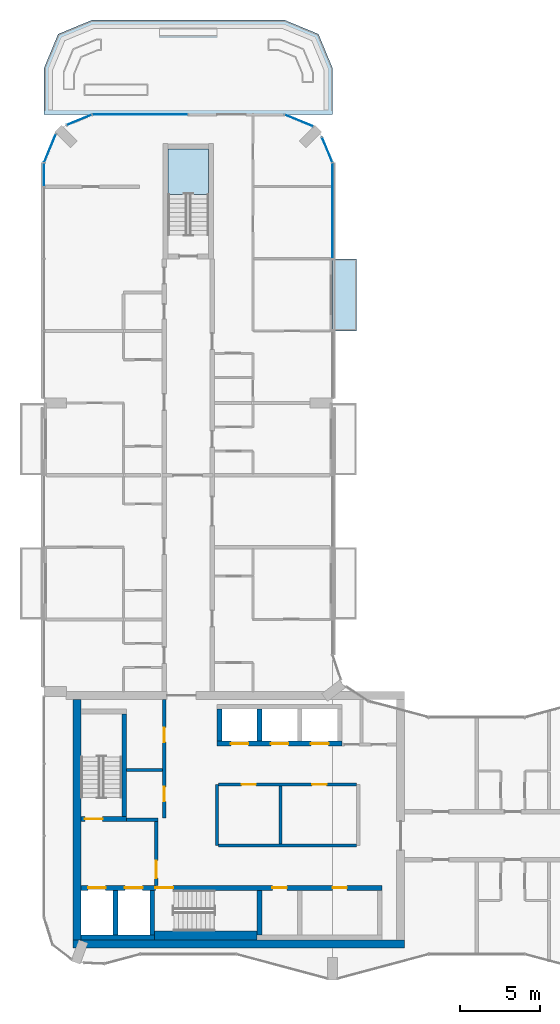
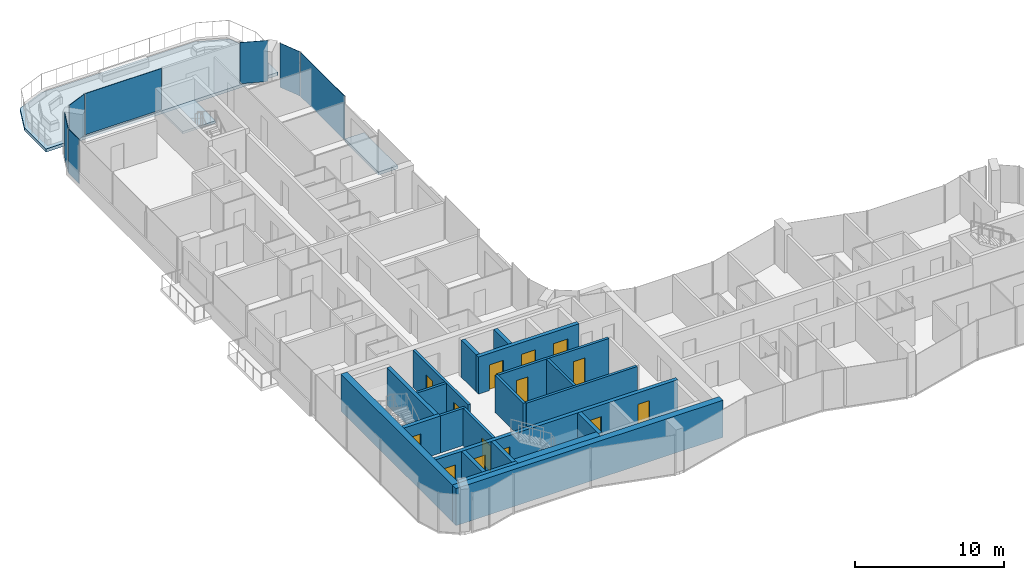
# One storey, part 9 of 17: 21 walls, 14 doors, 7 plates, 3 slabs, 14 openings, 8 elements without a shape of their own.
"""IFC4 building model written with IfcOpenShell, lengths in metres."""

import ifcopenshell
import ifcopenshell.guid

model = None  # the IFC model being written
_history = None  # IfcOwnerHistory: only IFC2X3 demands one
_inside = {}  # id of a spatial element -> (the spatial element, [elements in it])
_under = {}  # id of a project, library or spatial element -> (it, [spatial elements below it])
_declared = {}  # id of a project -> (the project, [libraries it declares])
_typed = {}  # id of a type object -> (the type object, [elements of that type])
_made_of = {}  # id of a material, layer set ... -> (it, [elements and type objects made of it])


def new_model(schema):
    """Start an empty IFC model of exactly this schema.

    Asked for "IFC4X3", IfcOpenShell would pick the latest addendum, in which some entities
    have other attributes; the version numbers below select the first issue.
    IFC2X3 requires an IfcOwnerHistory on every rooted entity: one is made here for all.
    """
    global model, _history
    if schema == "IFC4X3":
        model = ifcopenshell.file(schema_version=(4, 3, 0, 0))
    else:
        model = ifcopenshell.file(schema=schema)
    _inside.clear()
    _under.clear()
    _declared.clear()
    _typed.clear()
    _made_of.clear()
    _history = None
    if model.schema == "IFC2X3":
        org = make("IfcOrganization", Name="unknown")
        user = make(
            "IfcPersonAndOrganization",
            ThePerson=make("IfcPerson", FamilyName="unknown"),
            TheOrganization=org,
        )
        app = make(
            "IfcApplication",
            ApplicationDeveloper=org,
            Version="unknown",
            ApplicationFullName="unknown",
            ApplicationIdentifier="unknown",
        )
        _history = make(
            "IfcOwnerHistory",
            OwningUser=user,
            OwningApplication=app,
            ChangeAction="ADDED",
            CreationDate=0,
        )
    return model


def make(cls, **values):
    """One entity of the class cls with the attributes given. An attribute that is None is left unset."""
    return model.create_entity(
        cls, **{name: value for name, value in values.items() if value is not None}
    )


def rooted(cls, **values):
    """An entity with a GlobalId (a new one), such as an element, a storey or a relation."""
    return make(cls, GlobalId=ifcopenshell.guid.new(), OwnerHistory=_history, **values)


def si_unit(unit_type, name, prefix=None):
    """IfcSIUnit, for example si_unit("LENGTHUNIT", "METRE", prefix="MILLI")."""
    return make("IfcSIUnit", UnitType=unit_type, Prefix=prefix, Name=name)


def assignment(units):
    """IfcUnitAssignment: the units of a project."""
    return None if units is None else make("IfcUnitAssignment", Units=units)


def point(xyz):
    """IfcCartesianPoint."""
    return None if xyz is None else make("IfcCartesianPoint", Coordinates=xyz)


def direction(xyz):
    """IfcDirection."""
    return None if xyz is None else make("IfcDirection", DirectionRatios=xyz)


def frame(location, z_axis=None, x_axis=None):
    """IfcAxis2Placement3D, a coordinate frame: its origin and axes. An axis left out is left unset."""
    return make(
        "IfcAxis2Placement3D",
        Location=point(location),
        Axis=direction(z_axis),
        RefDirection=direction(x_axis),
    )


def frame_2d(location, x_axis=None):
    """IfcAxis2Placement2D, a coordinate frame in the plane: its origin and x axis."""
    return make(
        "IfcAxis2Placement2D", Location=point(location), RefDirection=direction(x_axis)
    )


def origin():
    """The frame at (0, 0, 0) with its axes left unset."""
    return frame((0.0, 0.0, 0.0))


def origin_2d():
    """The frame at (0, 0) in the plane with its x axis left unset."""
    return frame_2d((0.0, 0.0))


def place(relative_to, where):
    """IfcLocalPlacement: puts the frame where relative to a parent placement (None: the world)."""
    return make(
        "IfcLocalPlacement", PlacementRelTo=relative_to, RelativePlacement=where
    )


def context(
    kind, dimensions, precision=None, world=None, true_north=None, identifier=None
):
    """IfcGeometricRepresentationContext, for example the 3D "Model" context."""
    return make(
        "IfcGeometricRepresentationContext",
        ContextIdentifier=identifier,
        ContextType=kind,
        CoordinateSpaceDimension=dimensions,
        Precision=precision,
        WorldCoordinateSystem=world,
        TrueNorth=true_north,
    )


def subcontext(parent, identifier, kind, view, scale=None):
    """IfcGeometricRepresentationSubContext, for example "Body" below "Model"."""
    return make(
        "IfcGeometricRepresentationSubContext",
        ContextIdentifier=identifier,
        ContextType=kind,
        ParentContext=parent,
        TargetScale=scale,
        TargetView=view,
    )


def project(units=None, contexts=None):
    """IfcProject with its units and contexts."""
    return rooted(
        "IfcProject",
        Name="project",
        RepresentationContexts=contexts,
        UnitsInContext=assignment(units),
    )


def spatial(cls, under=None, at=None, **own):
    """A site, building, storey or space (cls), placed at a placement, below another one or the project."""
    s = rooted(cls, ObjectPlacement=at, **own)
    if under is not None:
        _under.setdefault(under.id(), (under, []))[1].append(s)
    return s


def polyline(points):
    """IfcPolyline through the points."""
    return make("IfcPolyline", Points=[point(p) for p in points])


def profile(cls, at=None, kind="AREA", **sizes):
    """A parametric profile (cls). Its sizes go by their IFC names, for example OverallWidth=200.0."""
    return make(cls, ProfileType=kind, Position=at, **sizes)


def rectangle(**sizes):
    """IfcRectangleProfileDef."""
    return profile("IfcRectangleProfileDef", **sizes)


def outline(outer, holes=None, kind="AREA"):
    """IfcArbitraryClosedProfileDef: a profile drawn as a closed curve; with holes, ...WithVoids."""
    if holes is None:
        return make("IfcArbitraryClosedProfileDef", ProfileType=kind, OuterCurve=outer)
    return make(
        "IfcArbitraryProfileDefWithVoids",
        ProfileType=kind,
        OuterCurve=outer,
        InnerCurves=holes,
    )


def extrude(swept, where, along, depth):
    """IfcExtrudedAreaSolid: the profile swept, set in the frame where, extruded along a direction by depth."""
    return make(
        "IfcExtrudedAreaSolid",
        SweptArea=swept,
        Position=where,
        ExtrudedDirection=direction(along),
        Depth=depth,
    )


def shape(context_of_items, identifier, shape_type, items):
    """IfcShapeRepresentation: the items that make up one representation, for example the "Body"."""
    return make(
        "IfcShapeRepresentation",
        ContextOfItems=context_of_items,
        RepresentationIdentifier=identifier,
        RepresentationType=shape_type,
        Items=items,
    )


def material(Name=None, Category=None):
    """IfcMaterial."""
    return make("IfcMaterial", Name=Name, Category=Category)


def layer(
    of_material, thickness, ventilated=None, Name=None, Category=None, Priority=None
):
    """IfcMaterialLayer: one layer of a wall or slab, of a material (None: an air gap)."""
    return make(
        "IfcMaterialLayer",
        Material=of_material,
        LayerThickness=thickness,
        IsVentilated=ventilated,
        Name=Name,
        Category=Category,
        Priority=Priority,
    )


def layer_set(layers, Name=None):
    """IfcMaterialLayerSet."""
    return make("IfcMaterialLayerSet", MaterialLayers=layers, LayerSetName=Name)


def made_of(thing, what):
    """Note that an element or type object is made of a material, layer set ...; save() writes the relation."""
    if what is not None:
        _made_of.setdefault(what.id(), (what, []))[1].append(thing)
    return thing


def type_object(cls, material=None, **own):
    """A type object (cls), such as IfcWallType, which elements share."""
    return made_of(rooted(cls, **own), material)


def element(
    cls,
    number,
    at=None,
    inside=None,
    cuts=None,
    type_object=None,
    material=None,
    context=None,
    identifier="Body",
    shape_type=None,
    held_by="IfcProductDefinitionShape",
    body=None,
    shapes=None,
    **own,
):
    """One element of the class cls, such as IfcWall. Its Tag is "e" and its number.

    at: its placement. inside: the storey or other place that contains it. cuts: it is an
    opening in that element (IfcRelVoidsElement). A single representation is given by context,
    identifier, shape_type and body (its items); several are given by shapes. held_by: the class
    of the entity that holds the representations. save() writes the other relations.
    """
    e = rooted(cls, Tag="e%d" % number, ObjectPlacement=at, **own)
    if body is not None:
        shapes = [shape(context, identifier, shape_type, body)]
    if shapes is not None:
        e.Representation = make(held_by, Representations=shapes)
    if inside is not None:
        _inside.setdefault(inside.id(), (inside, []))[1].append(e)
    if cuts is not None:
        rooted(
            "IfcRelVoidsElement", RelatingBuildingElement=cuts, RelatedOpeningElement=e
        )
    if type_object is not None:
        _typed.setdefault(type_object.id(), (type_object, []))[1].append(e)
    return made_of(e, material)


def fill(opening, filler):
    """IfcRelFillsElement: the door or window that sits in an opening."""
    return rooted(
        "IfcRelFillsElement",
        RelatingOpeningElement=opening,
        RelatedBuildingElement=filler,
    )


def aggregate(whole, parts):
    """IfcRelAggregates: a whole, such as a stair, and the parts it consists of."""
    return rooted("IfcRelAggregates", RelatingObject=whole, RelatedObjects=parts)


def save(model, path):
    """Write the relations noted so far, then the file.

    IfcRelAggregates (storeys below a building ...), IfcRelContainedInSpatialStructure (elements
    in a storey), IfcRelDefinesByType, IfcRelAssociatesMaterial and IfcRelDeclares: one each for
    every whole, place, type object, material and project.
    """
    for whole, parts in _under.values():
        aggregate(whole, parts)
    for where, things in _inside.values():
        rooted(
            "IfcRelContainedInSpatialStructure",
            RelatedElements=things,
            RelatingStructure=where,
        )
    for kind, things in _typed.values():
        rooted("IfcRelDefinesByType", RelatedObjects=things, RelatingType=kind)
    for what, things in _made_of.values():
        rooted("IfcRelAssociatesMaterial", RelatedObjects=things, RelatingMaterial=what)
    for by, libraries in _declared.values():
        rooted("IfcRelDeclares", RelatingContext=by, RelatedDefinitions=libraries)
    model.write(path)


model = new_model("IFC4")

# Units and contexts
model_context = context("Model", 3, precision=1e-05, world=origin(), true_north=direction((0.0, 1.0)))
body_context = subcontext(model_context, "Body", "Model", "MODEL_VIEW")
ifc_project = project(units=[si_unit("LENGTHUNIT", "METRE"), si_unit("AREAUNIT", "SQUARE_METRE"), si_unit("VOLUMEUNIT", "CUBIC_METRE"), si_unit("PLANEANGLEUNIT", "RADIAN"), si_unit("MASSUNIT", "GRAM", prefix="KILO")], contexts=[model_context])

# Site, building, storey
site_placement = place(None, origin())
site = spatial("IfcSite", under=ifc_project, at=site_placement, CompositionType="ELEMENT")
building_placement = place(site_placement, origin())
building = spatial("IfcBuilding", under=site, at=building_placement, Name="Plateau Cross Towers", CompositionType="ELEMENT")
storey_placement = place(building_placement, frame((0.0, 0.0, 225.89990234375)))
storey = spatial("IfcBuildingStorey", under=building, at=storey_placement, Name="L59", CompositionType="ELEMENT", Elevation=225.89990234375)

# Slab
ifc_material_1 = material(Name="Concrete C40/50", Category="concrete")
ifc_layer_1 = layer(ifc_material_1, 0.25)
ifc_layer_set_1 = layer_set([ifc_layer_1], Name="Concrete C40/50")
slab_type_1 = type_object("IfcSlabType", Name="Balcony slab 250", PredefinedType="FLOOR", material=ifc_layer_set_1)
slab_1_placement = place(storey_placement, frame((0.0, 0.0, -0.25)))
element("IfcSlab", 1, at=slab_1_placement, inside=storey, type_object=slab_type_1, Name="Balcony slab A-BAL-L59-05", PredefinedType="FLOOR", context=body_context, shape_type="SweptSolid", body=[
    extrude(outline(polyline([(19.5, 40.5), (19.5, 45.0), (18.0, 45.0), (18.0, 40.5), (19.5, 40.5)])), origin(), (0.0, 0.0, 1.0), 0.25),
])

# Curtain wall, plate
ifc_material_2 = material(Name="Dark low-iron glass", Category="glass")
ifc_layer_2 = layer(ifc_material_2, 0.239990234375)
ifc_layer_set_2 = layer_set([ifc_layer_2], Name="Dark low-iron glass")
curtain_wall_type = type_object("IfcCurtainWallType", Name="Curtain wall flush unitised CW-B", PredefinedType="NOTDEFINED", material=ifc_layer_set_2)
curtain_wall_1_placement = place(storey_placement, origin())
curtain_wall_1 = element("IfcCurtainWall", 2, at=curtain_wall_1_placement, inside=storey, type_object=curtain_wall_type, Name="ENV/A/L59/A180_450", PredefinedType="NOTDEFINED")
ifc_layer_3 = layer(ifc_material_2, 0.031982421875)
ifc_layer_set_3 = layer_set([ifc_layer_3], Name="Dark low-iron glass")
plate_type = type_object("IfcPlateType", Name="Glass panel 32 flush unitised", PredefinedType="CURTAIN_PANEL", material=ifc_layer_set_3)
plate_1_placement = place(storey_placement, frame((18.0, 48.0048828125, -0.1298828125), z_axis=(0.0, 0.0, 1.0), x_axis=(0.0, 1.0, 0.0)))
plate_1 = element("IfcPlate", 3, at=plate_1_placement, type_object=plate_type, Name="CW-B panel 1", PredefinedType="CURTAIN_PANEL", context=body_context, shape_type="SweptSolid", body=[
    extrude(rectangle(XDim=5.929931640625, YDim=0.031982421875, at=origin_2d()), origin(), (0.0, 0.0, 1.0), 3.6298828125),
])
aggregate(curtain_wall_1, [plate_1])

curtain_wall_2_placement = place(storey_placement, origin())
curtain_wall_2 = element("IfcCurtainWall", 4, at=curtain_wall_2_placement, inside=storey, type_object=curtain_wall_type, Name="ENV/A/L59/A180_510", PredefinedType="NOTDEFINED")
plate_2_placement = place(storey_placement, frame((17.66943359375, 51.79833984375, -0.1298828125), z_axis=(0.0, 0.0, 1.0), x_axis=(-0.382683612978, 0.923879457699, 0.0)))
plate_2 = element("IfcPlate", 5, at=plate_2_placement, type_object=plate_type, Name="CW-B panel 1", PredefinedType="CURTAIN_PANEL", context=body_context, shape_type="SweptSolid", body=[
    extrude(rectangle(XDim=1.668212890625, YDim=0.031982421875, at=origin_2d()), origin(), (0.0, 0.0, 1.0), 3.6298828125),
])
aggregate(curtain_wall_2, [plate_2])

curtain_wall_3_placement = place(storey_placement, origin())
curtain_wall_3 = element("IfcCurtainWall", 6, at=curtain_wall_3_placement, inside=storey, type_object=curtain_wall_type, Name="ENV/A/L59/A168_533", PredefinedType="NOTDEFINED")
plate_3_placement = place(storey_placement, frame((15.90283203125, 53.6259765625, 0.1201171875), z_axis=(0.0, 0.0, 1.0), x_axis=(-0.923879457699, 0.382683612978, 0.0)))
plate_3 = element("IfcPlate", 7, at=plate_3_placement, type_object=plate_type, Name="CW-B panel 1", PredefinedType="CURTAIN_PANEL", context=body_context, shape_type="SweptSolid", body=[
    extrude(rectangle(XDim=1.894775390625, YDim=0.031982421875, at=origin_2d()), origin(), (0.0, 0.0, 1.0), 3.3798828125),
])
aggregate(curtain_wall_3, [plate_3])

curtain_wall_4_placement = place(storey_placement, origin())
curtain_wall_4 = element("IfcCurtainWall", 8, at=curtain_wall_4_placement, inside=storey, type_object=curtain_wall_type, Name="ENV/A/L59/A90_540", PredefinedType="NOTDEFINED")
plate_4_placement = place(storey_placement, frame((6.0, 54.0, 0.1201171875), z_axis=(0.0, 0.0, 1.0), x_axis=(-1.0, 0.0, 0.0)))
plate_4 = element("IfcPlate", 9, at=plate_4_placement, type_object=plate_type, Name="CW-B panel 1", PredefinedType="CURTAIN_PANEL", context=body_context, shape_type="SweptSolid", body=[
    extrude(rectangle(XDim=5.93994140625, YDim=0.031982421875, at=origin_2d()), origin(), (0.0, 0.0, 1.0), 3.3798828125),
])
aggregate(curtain_wall_4, [plate_4])

curtain_wall_5_placement = place(storey_placement, origin())
curtain_wall_5 = element("IfcCurtainWall", 10, at=curtain_wall_5_placement, inside=storey, type_object=curtain_wall_type, Name="ENV/A/L59/A30_540", PredefinedType="NOTDEFINED")
plate_5_placement = place(storey_placement, frame((2.20166015625, 53.66943359375, 0.1201171875), z_axis=(0.0, 0.0, 1.0), x_axis=(-0.923879457699, -0.382683612978, 0.0)))
plate_5 = element("IfcPlate", 11, at=plate_5_placement, type_object=plate_type, Name="CW-B panel 1", PredefinedType="CURTAIN_PANEL", context=body_context, shape_type="SweptSolid", body=[
    extrude(rectangle(XDim=1.668212890625, YDim=0.031982421875, at=origin_2d()), origin(), (0.0, 0.0, 1.0), 3.3798828125),
])
aggregate(curtain_wall_5, [plate_5])

curtain_wall_6_placement = place(storey_placement, origin())
curtain_wall_6 = element("IfcCurtainWall", 12, at=curtain_wall_6_placement, inside=storey, type_object=curtain_wall_type, Name="ENV/A/L59/A7_528", PredefinedType="NOTDEFINED")
plate_6_placement = place(storey_placement, frame((0.3740234375, 51.90283203125, -0.1298828125), z_axis=(0.0, 0.0, 1.0), x_axis=(-0.382683612978, -0.923879457699, 0.0)))
plate_6 = element("IfcPlate", 13, at=plate_6_placement, type_object=plate_type, Name="CW-B panel 1", PredefinedType="CURTAIN_PANEL", context=body_context, shape_type="SweptSolid", body=[
    extrude(rectangle(XDim=1.894775390625, YDim=0.031982421875, at=origin_2d()), origin(), (0.0, 0.0, 1.0), 3.6298828125),
])
aggregate(curtain_wall_6, [plate_6])

curtain_wall_7_placement = place(storey_placement, origin())
curtain_wall_7 = element("IfcCurtainWall", 14, at=curtain_wall_7_placement, inside=storey, type_object=curtain_wall_type, Name="ENV/A/L59/A0_510", PredefinedType="NOTDEFINED")
plate_7_placement = place(storey_placement, frame((0.0, 50.25, -0.1298828125), z_axis=(0.0, 0.0, 1.0), x_axis=(0.0, -1.0, 0.0)))
plate_7 = element("IfcPlate", 15, at=plate_7_placement, type_object=plate_type, Name="CW-B panel 1", PredefinedType="CURTAIN_PANEL", context=body_context, shape_type="SweptSolid", body=[
    extrude(rectangle(XDim=1.43994140625, YDim=0.031982421875, at=origin_2d()), origin(), (0.0, 0.0, 1.0), 3.6298828125),
])
aggregate(curtain_wall_7, [plate_7])

# Slab
ifc_layer_4 = layer(ifc_material_1, 0.25)
ifc_layer_set_4 = layer_set([ifc_layer_4], Name="Concrete C40/50")
slab_type_2 = type_object("IfcSlabType", Name="Post-tensioned deck slab 250", PredefinedType="FLOOR", material=ifc_layer_set_4)
slab_2_placement = place(storey_placement, frame((0.0, 0.0, -0.25)))
element("IfcSlab", 16, at=slab_2_placement, inside=storey, type_object=slab_type_2, Name="SL-A-west-deck", PredefinedType="FLOOR", context=body_context, shape_type="SweptSolid", body=[
    extrude(outline(polyline([(0.0, 56.89990234375), (0.878662109375, 59.021240234375), (3.0, 59.89990234375), (15.0, 59.89990234375), (17.121337890625, 59.021240234375), (18.0, 56.89990234375), (18.0, 54.0), (15.0, 54.0), (3.0, 54.0), (0.0, 54.0), (0.0, 56.89990234375)])), origin(), (0.0, 0.0, 1.0), 0.25),
])

# Stair, slab
stair_type = type_object("IfcStairType", Name="ST-TWR", PredefinedType="HALF_TURN_STAIR", material=ifc_material_1)
stair_placement = place(storey_placement, origin())
stair = element("IfcStair", 17, at=stair_placement, inside=storey, type_object=stair_type, Name="L59 Protected Exit Stair N", PredefinedType="HALF_TURN_STAIR")
ifc_layer_5 = layer(ifc_material_1, 0.199951171875)
ifc_layer_set_5 = layer_set([ifc_layer_5], Name="Concrete C40/50")
slab_type_3 = type_object("IfcSlabType", Name="SL-LANDING", PredefinedType="LANDING", material=ifc_layer_set_5)
slab_3_placement = place(storey_placement, frame((0.0, 0.0, 1.550048828125)))
slab_3 = element("IfcSlab", 18, at=slab_3_placement, type_object=slab_type_3, Name="ES-N landing 1", PredefinedType="LANDING", context=body_context, shape_type="SweptSolid", body=[
    extrude(outline(polyline([(10.27490234375, 49.02001953125), (10.27490234375, 51.85009765625), (7.72509765625, 51.85009765625), (7.72509765625, 49.02001953125), (10.27490234375, 49.02001953125)])), origin(), (0.0, 0.0, 1.0), 0.199951171875),
])
aggregate(stair, [slab_3])

# Wall, opening, door
ifc_material_3 = material(Name="Concrete block, plastered both sides", Category="concrete")
ifc_layer_6 = layer(ifc_material_3, 0.199951171875)
ifc_layer_set_6 = layer_set([ifc_layer_6], Name="Concrete block, plastered both sides")
wall_type_1 = type_object("IfcWallType", Name="Core partition 200", PredefinedType="PARTITIONING", material=ifc_layer_set_6)
wall_1_placement = place(storey_placement, frame((7.0, 5.89990234375, 0.0), z_axis=(0.0, 0.0, 1.0), x_axis=(0.0, 1.0, 0.0)))
wall_1 = element("IfcWall", 19, at=wall_1_placement, inside=storey, type_object=wall_type_1, Name="Core partition", PredefinedType="PARTITIONING", context=body_context, shape_type="SweptSolid", body=[
    extrude(rectangle(XDim=4.0, YDim=0.199951171875, at=frame_2d((2.0, 0.0))), origin(), (0.0, 0.0, 1.0), 3.050048828125),
])
opening_1_placement = place(wall_1_placement, frame((0.449951171875, 0.0, 0.0)))
opening_1 = element("IfcOpeningElement", 20, at=opening_1_placement, cuts=wall_1, Name="Opening FFD", PredefinedType="OPENING", context=body_context, shape_type="SweptSolid", body=[
    extrude(rectangle(XDim=1.10009765625, YDim=2.10009765625, at=frame_2d((0.550048828125, 1.050048828125))), frame((0.0, 0.10986328125, 0.0), z_axis=(0.0, -1.0, 0.0), x_axis=(1.0, 0.0, 0.0)), (0.0, 0.0, 1.0), 0.219970703125),
])
ifc_material_4 = material(Name="Steel, fire-resisting leaf", Category="steel")
door_type_1 = type_object("IfcDoorType", Name="Firefighting lobby door 1100", OperationType="NOTDEFINED", PredefinedType="DOOR", material=ifc_material_4)
door_1_placement = place(opening_1_placement, origin())
door_1 = element("IfcDoor", 21, at=door_1_placement, inside=storey, type_object=door_type_1, Name="Firefighting lobby door FFD", OperationType="SINGLE_SWING_LEFT", OverallHeight=2.10009765625, OverallWidth=1.10009765625, PredefinedType="DOOR", context=body_context, shape_type="SweptSolid", body=[
    extrude(rectangle(XDim=1.10009765625, YDim=2.10009765625, at=frame_2d((0.550048828125, 1.050048828125))), frame((0.0, 0.02490234375, 0.0), z_axis=(0.0, -1.0, 0.0), x_axis=(1.0, 0.0, 0.0)), (0.0, 0.0, 1.0), 0.050048828125),
])
fill(opening_1, door_1)

# Walls
wall_2_placement = place(storey_placement, frame((5.14990234375, 10.0, 0.0), z_axis=(0.0, 0.0, 1.0), x_axis=(1.0, 0.0, 0.0)))
element("IfcWall", 22, at=wall_2_placement, inside=storey, type_object=wall_type_1, Name="Core partition", PredefinedType="PARTITIONING", context=body_context, shape_type="SweptSolid", body=[
    extrude(rectangle(XDim=1.9501953125, YDim=0.199951171875, at=frame_2d((0.97509765625, 0.0))), origin(), (0.0, 0.0, 1.0), 3.050048828125),
])
wall_3_placement = place(storey_placement, frame((10.800048828125, 8.39990234375, 0.0), z_axis=(0.0, 0.0, 1.0), x_axis=(0.0, 1.0, 0.0)))
element("IfcWall", 23, at=wall_3_placement, inside=storey, type_object=wall_type_1, Name="Core partition", PredefinedType="PARTITIONING", context=body_context, shape_type="SweptSolid", body=[
    extrude(rectangle(XDim=3.800048828125, YDim=0.199951171875, at=frame_2d((1.89990234375, 0.0))), origin(), (0.0, 0.0, 1.0), 3.050048828125),
])
wall_4_placement = place(storey_placement, frame((10.89990234375, 8.39990234375, 0.0), z_axis=(0.0, 0.0, 1.0), x_axis=(1.0, 0.0, 0.0)))
element("IfcWall", 24, at=wall_4_placement, inside=storey, type_object=wall_type_1, Name="Core partition", PredefinedType="PARTITIONING", context=body_context, shape_type="SweptSolid", body=[
    extrude(rectangle(XDim=8.60009765625, YDim=0.199951171875, at=frame_2d((4.300048828125, 0.0))), origin(), (0.0, 0.0, 1.0), 3.050048828125),
])

# Wall, openings, doors
wall_5_placement = place(storey_placement, frame((10.89990234375, 12.199951171875, 0.0), z_axis=(0.0, 0.0, 1.0), x_axis=(1.0, 0.0, 0.0)))
wall_5 = element("IfcWall", 25, at=wall_5_placement, inside=storey, type_object=wall_type_1, Name="Core partition", PredefinedType="PARTITIONING", context=body_context, shape_type="SweptSolid", body=[
    extrude(rectangle(XDim=8.60009765625, YDim=0.199951171875, at=frame_2d((4.300048828125, 0.0))), origin(), (0.0, 0.0, 1.0), 3.050048828125),
])
opening_2_placement = place(wall_5_placement, frame((1.425048828125, 0.0, 0.0)))
opening_2 = element("IfcOpeningElement", 26, at=opening_2_placement, cuts=wall_5, Name="Opening RD1", PredefinedType="OPENING", context=body_context, shape_type="SweptSolid", body=[
    extrude(rectangle(XDim=0.89990234375, YDim=2.10009765625, at=frame_2d((0.449951171875, 1.050048828125))), frame((0.0, 0.10986328125, 0.0), z_axis=(0.0, -1.0, 0.0), x_axis=(1.0, 0.0, 0.0)), (0.0, 0.0, 1.0), 0.219970703125),
])
opening_3_placement = place(wall_5_placement, frame((5.824951171875, 0.0, 0.0)))
opening_3 = element("IfcOpeningElement", 27, at=opening_3_placement, cuts=wall_5, Name="Opening RD1", PredefinedType="OPENING", context=body_context, shape_type="SweptSolid", body=[
    extrude(rectangle(XDim=0.89990234375, YDim=2.10009765625, at=frame_2d((0.449951171875, 1.050048828125))), frame((0.0, 0.10986328125, 0.0), z_axis=(0.0, -1.0, 0.0), x_axis=(1.0, 0.0, 0.0)), (0.0, 0.0, 1.0), 0.219970703125),
])
ifc_material_5 = material(Name="Timber, fire-resisting leaf", Category="wood")
door_type_2 = type_object("IfcDoorType", Name="Core service door 900", OperationType="NOTDEFINED", PredefinedType="DOOR", material=ifc_material_5)
door_2_placement = place(opening_2_placement, origin())
door_2 = element("IfcDoor", 28, at=door_2_placement, inside=storey, type_object=door_type_2, Name="Core service door RD1", OperationType="SINGLE_SWING_LEFT", OverallHeight=2.10009765625, OverallWidth=0.89990234375, PredefinedType="DOOR", context=body_context, shape_type="SweptSolid", body=[
    extrude(rectangle(XDim=0.89990234375, YDim=2.10009765625, at=frame_2d((0.449951171875, 1.050048828125))), frame((0.0, 0.02490234375, 0.0), z_axis=(0.0, -1.0, 0.0), x_axis=(1.0, 0.0, 0.0)), (0.0, 0.0, 1.0), 0.050048828125),
])
fill(opening_2, door_2)
door_3_placement = place(opening_3_placement, origin())
door_3 = element("IfcDoor", 29, at=door_3_placement, inside=storey, type_object=door_type_2, Name="Core service door RD1", OperationType="SINGLE_SWING_LEFT", OverallHeight=2.10009765625, OverallWidth=0.89990234375, PredefinedType="DOOR", context=body_context, shape_type="SweptSolid", body=[
    extrude(rectangle(XDim=0.89990234375, YDim=2.10009765625, at=frame_2d((0.449951171875, 1.050048828125))), frame((0.0, 0.02490234375, 0.0), z_axis=(0.0, -1.0, 0.0), x_axis=(1.0, 0.0, 0.0)), (0.0, 0.0, 1.0), 0.050048828125),
])
fill(opening_3, door_3)

# Wall
wall_6_placement = place(storey_placement, frame((14.75, 8.5, 0.0), z_axis=(0.0, 0.0, 1.0), x_axis=(0.0, 1.0, 0.0)))
element("IfcWall", 30, at=wall_6_placement, inside=storey, type_object=wall_type_1, Name="Core partition", PredefinedType="PARTITIONING", context=body_context, shape_type="SweptSolid", body=[
    extrude(rectangle(XDim=3.60009765625, YDim=0.199951171875, at=frame_2d((1.800048828125, 0.0))), origin(), (0.0, 0.0, 1.0), 3.050048828125),
])

# Wall, openings, doors
wall_7_placement = place(storey_placement, frame((7.5, 10.10009765625, 0.0), z_axis=(0.0, 0.0, 1.0), x_axis=(0.0, 1.0, 0.0)))
wall_7 = element("IfcWall", 31, at=wall_7_placement, inside=storey, type_object=wall_type_1, Name="Core partition", PredefinedType="PARTITIONING", context=body_context, shape_type="SweptSolid", body=[
    extrude(rectangle(XDim=7.39990234375, YDim=0.199951171875, at=frame_2d((3.699951171875, 0.0))), origin(), (0.0, 0.0, 1.0), 3.050048828125),
])
opening_4_placement = place(wall_7_placement, frame((1.050048828125, 0.0, 0.0)))
opening_4 = element("IfcOpeningElement", 32, at=opening_4_placement, cuts=wall_7, Name="Opening RD1", PredefinedType="OPENING", context=body_context, shape_type="SweptSolid", body=[
    extrude(rectangle(XDim=0.89990234375, YDim=2.10009765625, at=frame_2d((0.449951171875, 1.050048828125))), frame((0.0, 0.10986328125, 0.0), z_axis=(0.0, -1.0, 0.0), x_axis=(1.0, 0.0, 0.0)), (0.0, 0.0, 1.0), 0.219970703125),
])
opening_5_placement = place(wall_7_placement, frame((4.75, 0.0, 0.0)))
opening_5 = element("IfcOpeningElement", 33, at=opening_5_placement, cuts=wall_7, Name="Opening RD1", PredefinedType="OPENING", context=body_context, shape_type="SweptSolid", body=[
    extrude(rectangle(XDim=0.89990234375, YDim=2.10009765625, at=frame_2d((0.449951171875, 1.050048828125))), frame((0.0, 0.10986328125, 0.0), z_axis=(0.0, -1.0, 0.0), x_axis=(1.0, 0.0, 0.0)), (0.0, 0.0, 1.0), 0.219970703125),
])
door_4_placement = place(opening_4_placement, origin())
door_4 = element("IfcDoor", 34, at=door_4_placement, inside=storey, type_object=door_type_2, Name="Core service door RD1", OperationType="SINGLE_SWING_RIGHT", OverallHeight=2.10009765625, OverallWidth=0.89990234375, PredefinedType="DOOR", context=body_context, shape_type="SweptSolid", body=[
    extrude(rectangle(XDim=0.89990234375, YDim=2.10009765625, at=frame_2d((0.449951171875, 1.050048828125))), frame((0.0, 0.02490234375, 0.0), z_axis=(0.0, -1.0, 0.0), x_axis=(1.0, 0.0, 0.0)), (0.0, 0.0, 1.0), 0.050048828125),
])
fill(opening_4, door_4)
door_5_placement = place(opening_5_placement, origin())
door_5 = element("IfcDoor", 35, at=door_5_placement, inside=storey, type_object=door_type_2, Name="Core service door RD1", OperationType="SINGLE_SWING_RIGHT", OverallHeight=2.10009765625, OverallWidth=0.89990234375, PredefinedType="DOOR", context=body_context, shape_type="SweptSolid", body=[
    extrude(rectangle(XDim=0.89990234375, YDim=2.10009765625, at=frame_2d((0.449951171875, 1.050048828125))), frame((0.0, 0.02490234375, 0.0), z_axis=(0.0, -1.0, 0.0), x_axis=(1.0, 0.0, 0.0)), (0.0, 0.0, 1.0), 0.050048828125),
])
fill(opening_5, door_5)

# Walls
wall_8_placement = place(storey_placement, frame((5.14990234375, 13.10009765625, 0.0), z_axis=(0.0, 0.0, 1.0), x_axis=(1.0, 0.0, 0.0)))
element("IfcWall", 36, at=wall_8_placement, inside=storey, type_object=wall_type_1, Name="Core partition", PredefinedType="PARTITIONING", context=body_context, shape_type="SweptSolid", body=[
    extrude(rectangle(XDim=2.25, YDim=0.199951171875, at=frame_2d((1.125, 0.0))), origin(), (0.0, 0.0, 1.0), 3.050048828125),
])
ifc_material_6 = material(Name="Concrete C60/75", Category="concrete")
ifc_layer_7 = layer(ifc_material_6, 0.300048828125)
ifc_layer_set_7 = layer_set([ifc_layer_7], Name="Concrete C60/75")
wall_type_2 = type_object("IfcWallType", Name="Core shaft wall 300", PredefinedType="SHEAR", material=ifc_layer_set_7)
wall_9_placement = place(storey_placement, frame((2.300048828125, 2.64990234375, 0.0), z_axis=(0.0, 0.0, 1.0), x_axis=(1.0, 0.0, 0.0)))
element("IfcWall", 37, at=wall_9_placement, inside=storey, type_object=wall_type_2, Name="A-sb-back1@L59", PredefinedType="SHEAR", context=body_context, shape_type="SweptSolid", body=[
    extrude(rectangle(XDim=4.599853515625, YDim=0.300048828125, at=frame_2d((2.2998046875, 0.0))), origin(), (0.0, 0.0, 1.0), 3.050048828125),
])
for number, where, z_axis, x_axis, name in (
    (38, (4.449951171875, 2.800048828125, 0.0), (0.0, 0.0, 1.0), (0.0, 1.0, 0.0), "A-sb-v1@L59"),
    (39, (6.75, 2.800048828125, 0.0), (0.0, 0.0, 1.0), (0.0, 1.0, 0.0), "A-sb-v2@L59"),
    (40, (13.449951171875, 2.800048828125, 0.0), (0.0, 0.0, 1.0), (0.0, 1.0, 0.0), "A-sb-v3@L59"),
):
    element("IfcWall", number, at=place(storey_placement, frame(where, z_axis=z_axis, x_axis=x_axis)), inside=storey, type_object=wall_type_2, Name=name, PredefinedType="SHEAR", context=body_context, shape_type="SweptSolid", body=[
        extrude(rectangle(XDim=2.800048828125, YDim=0.300048828125, at=frame_2d((1.39990234375, 0.0))), origin(), (0.0, 0.0, 1.0), 3.050048828125),
    ])

# Wall, openings, doors
wall_10_placement = place(storey_placement, frame((2.300048828125, 5.75, 0.0), z_axis=(0.0, 0.0, 1.0), x_axis=(1.0, 0.0, 0.0)))
wall_10 = element("IfcWall", 41, at=wall_10_placement, inside=storey, type_object=wall_type_2, Name="A-sb-front@L59", PredefinedType="SHEAR", context=body_context, shape_type="SweptSolid", body=[
    extrude(rectangle(XDim=18.800048828125, YDim=0.300048828125, at=frame_2d((9.39990234375, 0.0))), origin(), (0.0, 0.0, 1.0), 3.050048828125),
])
opening_6_placement = place(wall_10_placement, frame((4.64990234375, 0.0, 0.0)))
opening_6 = element("IfcOpeningElement", 42, at=opening_6_placement, cuts=wall_10, Name="Opening SD", PredefinedType="OPENING", context=body_context, shape_type="SweptSolid", body=[
    extrude(rectangle(XDim=1.10009765625, YDim=2.10009765625, at=frame_2d((0.550048828125, 1.050048828125))), frame((0.0, 0.159912109375, 0.0), z_axis=(0.0, -1.0, 0.0), x_axis=(1.0, 0.0, 0.0)), (0.0, 0.0, 1.0), 0.320068359375),
])
opening_7_placement = place(wall_10_placement, frame((0.449951171875, 0.0, 0.0)))
opening_7 = element("IfcOpeningElement", 43, at=opening_7_placement, cuts=wall_10, Name="Opening LD", PredefinedType="OPENING", context=body_context, shape_type="SweptSolid", body=[
    extrude(rectangle(XDim=1.10009765625, YDim=2.10009765625, at=frame_2d((0.550048828125, 1.050048828125))), frame((0.0, 0.159912109375, 0.0), z_axis=(0.0, -1.0, 0.0), x_axis=(1.0, 0.0, 0.0)), (0.0, 0.0, 1.0), 0.320068359375),
])
opening_8_placement = place(wall_10_placement, frame((2.75, 0.0, 0.0)))
opening_8 = element("IfcOpeningElement", 44, at=opening_8_placement, cuts=wall_10, Name="Opening LD", PredefinedType="OPENING", context=body_context, shape_type="SweptSolid", body=[
    extrude(rectangle(XDim=1.10009765625, YDim=2.10009765625, at=frame_2d((0.550048828125, 1.050048828125))), frame((0.0, 0.159912109375, 0.0), z_axis=(0.0, -1.0, 0.0), x_axis=(1.0, 0.0, 0.0)), (0.0, 0.0, 1.0), 0.320068359375),
])
opening_9_placement = place(wall_10_placement, frame((11.949951171875, 0.0, 0.0)))
opening_9 = element("IfcOpeningElement", 45, at=opening_9_placement, cuts=wall_10, Name="Opening RD2", PredefinedType="OPENING", context=body_context, shape_type="SweptSolid", body=[
    extrude(rectangle(XDim=0.89990234375, YDim=2.10009765625, at=frame_2d((0.449951171875, 1.050048828125))), frame((0.0, 0.159912109375, 0.0), z_axis=(0.0, -1.0, 0.0), x_axis=(1.0, 0.0, 0.0)), (0.0, 0.0, 1.0), 0.320068359375),
])
opening_10_placement = place(wall_10_placement, frame((15.699951171875, 0.0, 0.0)))
opening_10 = element("IfcOpeningElement", 46, at=opening_10_placement, cuts=wall_10, Name="Opening RD2", PredefinedType="OPENING", context=body_context, shape_type="SweptSolid", body=[
    extrude(rectangle(XDim=0.89990234375, YDim=2.10009765625, at=frame_2d((0.449951171875, 1.050048828125))), frame((0.0, 0.159912109375, 0.0), z_axis=(0.0, -1.0, 0.0), x_axis=(1.0, 0.0, 0.0)), (0.0, 0.0, 1.0), 0.320068359375),
])
door_type_3 = type_object("IfcDoorType", Name="Core riser door 900", OperationType="NOTDEFINED", PredefinedType="DOOR", material=ifc_material_4)
door_6_placement = place(opening_9_placement, origin())
door_6 = element("IfcDoor", 47, at=door_6_placement, inside=storey, type_object=door_type_3, Name="Core riser door RD2", OperationType="SINGLE_SWING_LEFT", OverallHeight=2.10009765625, OverallWidth=0.89990234375, PredefinedType="DOOR", context=body_context, shape_type="SweptSolid", body=[
    extrude(rectangle(XDim=0.89990234375, YDim=2.10009765625, at=frame_2d((0.449951171875, 1.050048828125))), frame((0.0, 0.02490234375, 0.0), z_axis=(0.0, -1.0, 0.0), x_axis=(1.0, 0.0, 0.0)), (0.0, 0.0, 1.0), 0.050048828125),
])
fill(opening_9, door_6)
door_7_placement = place(opening_10_placement, origin())
door_7 = element("IfcDoor", 48, at=door_7_placement, inside=storey, type_object=door_type_3, Name="Core riser door RD2", OperationType="SINGLE_SWING_LEFT", OverallHeight=2.10009765625, OverallWidth=0.89990234375, PredefinedType="DOOR", context=body_context, shape_type="SweptSolid", body=[
    extrude(rectangle(XDim=0.89990234375, YDim=2.10009765625, at=frame_2d((0.449951171875, 1.050048828125))), frame((0.0, 0.02490234375, 0.0), z_axis=(0.0, -1.0, 0.0), x_axis=(1.0, 0.0, 0.0)), (0.0, 0.0, 1.0), 0.050048828125),
])
fill(opening_10, door_7)
ifc_material_7 = material(Name="Stainless steel, fire-resisting sliding leaves", Category="steel")
door_type_4 = type_object("IfcDoorType", Name="Lift landing door 1100", OperationType="NOTDEFINED", PredefinedType="DOOR", material=ifc_material_7)
door_8_placement = place(opening_7_placement, origin())
door_8 = element("IfcDoor", 49, at=door_8_placement, inside=storey, type_object=door_type_4, Name="Lift landing door LD", OperationType="DOUBLE_DOOR_SLIDING", OverallHeight=2.10009765625, OverallWidth=1.10009765625, PredefinedType="DOOR", context=body_context, shape_type="SweptSolid", body=[
    extrude(rectangle(XDim=1.10009765625, YDim=2.10009765625, at=frame_2d((0.550048828125, 1.050048828125))), frame((0.0, 0.02490234375, 0.0), z_axis=(0.0, -1.0, 0.0), x_axis=(1.0, 0.0, 0.0)), (0.0, 0.0, 1.0), 0.050048828125),
])
fill(opening_7, door_8)
door_9_placement = place(opening_8_placement, origin())
door_9 = element("IfcDoor", 50, at=door_9_placement, inside=storey, type_object=door_type_4, Name="Lift landing door LD", OperationType="DOUBLE_DOOR_SLIDING", OverallHeight=2.10009765625, OverallWidth=1.10009765625, PredefinedType="DOOR", context=body_context, shape_type="SweptSolid", body=[
    extrude(rectangle(XDim=1.10009765625, YDim=2.10009765625, at=frame_2d((0.550048828125, 1.050048828125))), frame((0.0, 0.02490234375, 0.0), z_axis=(0.0, -1.0, 0.0), x_axis=(1.0, 0.0, 0.0)), (0.0, 0.0, 1.0), 0.050048828125),
])
fill(opening_8, door_9)
door_type_5 = type_object("IfcDoorType", Name="Stair door 1100", OperationType="NOTDEFINED", PredefinedType="DOOR", material=ifc_material_4)
door_10_placement = place(opening_6_placement, origin())
door_10 = element("IfcDoor", 51, at=door_10_placement, inside=storey, type_object=door_type_5, Name="Stair door SD", OperationType="SINGLE_SWING_LEFT", OverallHeight=2.10009765625, OverallWidth=1.10009765625, PredefinedType="DOOR", context=body_context, shape_type="SweptSolid", body=[
    extrude(rectangle(XDim=1.10009765625, YDim=2.10009765625, at=frame_2d((0.550048828125, 1.050048828125))), frame((0.0, 0.02490234375, 0.0), z_axis=(0.0, -1.0, 0.0), x_axis=(1.0, 0.0, 0.0)), (0.0, 0.0, 1.0), 0.050048828125),
])
fill(opening_6, door_10)

# Wall, opening, door
wall_11_placement = place(storey_placement, frame((2.300048828125, 10.050048828125, 0.0), z_axis=(0.0, 0.0, 1.0), x_axis=(1.0, 0.0, 0.0)))
wall_11 = element("IfcWall", 52, at=wall_11_placement, inside=storey, type_object=wall_type_2, Name="A-st1-S@L59", PredefinedType="SHEAR", context=body_context, shape_type="SweptSolid", body=[
    extrude(rectangle(XDim=2.849853515625, YDim=0.300048828125, at=frame_2d((1.4248046875, 0.0))), origin(), (0.0, 0.0, 1.0), 3.050048828125),
])
opening_11_placement = place(wall_11_placement, frame((0.25, 0.0, 0.0)))
opening_11 = element("IfcOpeningElement", 53, at=opening_11_placement, cuts=wall_11, Name="Opening SD", PredefinedType="OPENING", context=body_context, shape_type="SweptSolid", body=[
    extrude(rectangle(XDim=1.10009765625, YDim=2.10009765625, at=frame_2d((0.550048828125, 1.050048828125))), frame((0.0, 0.159912109375, 0.0), z_axis=(0.0, -1.0, 0.0), x_axis=(1.0, 0.0, 0.0)), (0.0, 0.0, 1.0), 0.320068359375),
])
door_11_placement = place(opening_11_placement, origin())
door_11 = element("IfcDoor", 54, at=door_11_placement, inside=storey, type_object=door_type_5, Name="Stair door SD", OperationType="SINGLE_SWING_RIGHT", OverallHeight=2.10009765625, OverallWidth=1.10009765625, PredefinedType="DOOR", context=body_context, shape_type="SweptSolid", body=[
    extrude(rectangle(XDim=1.10009765625, YDim=2.10009765625, at=frame_2d((0.550048828125, 1.050048828125))), frame((0.0, 0.02490234375, 0.0), z_axis=(0.0, -1.0, 0.0), x_axis=(1.0, 0.0, 0.0)), (0.0, 0.0, 1.0), 0.050048828125),
])
fill(opening_11, door_11)

# Wall
wall_12_placement = place(storey_placement, frame((5.0, 10.199951171875, 0.0), z_axis=(0.0, 0.0, 1.0), x_axis=(0.0, 1.0, 0.0)))
element("IfcWall", 55, at=wall_12_placement, inside=storey, type_object=wall_type_2, Name="A-st1-E@L59", PredefinedType="SHEAR", context=body_context, shape_type="SweptSolid", body=[
    extrude(rectangle(XDim=6.400146484375, YDim=0.300048828125, at=frame_2d((3.2001953125, 0.0))), origin(), (0.0, 0.0, 1.0), 3.050048828125),
])

# Wall, openings, doors
wall_13_placement = place(storey_placement, frame((10.800048828125, 14.75, 0.0), z_axis=(0.0, 0.0, 1.0), x_axis=(1.0, 0.0, 0.0)))
wall_13 = element("IfcWall", 56, at=wall_13_placement, inside=storey, type_object=wall_type_2, Name="A-nb-front@L59", PredefinedType="SHEAR", context=body_context, shape_type="SweptSolid", body=[
    extrude(rectangle(XDim=7.800048828125, YDim=0.300048828125, at=frame_2d((3.89990234375, 0.0))), origin(), (0.0, 0.0, 1.0), 3.050048828125),
])
opening_12_placement = place(wall_13_placement, frame((0.85009765625, 0.0, 0.0)))
opening_12 = element("IfcOpeningElement", 57, at=opening_12_placement, cuts=wall_13, Name="Opening LD", PredefinedType="OPENING", context=body_context, shape_type="SweptSolid", body=[
    extrude(rectangle(XDim=1.10009765625, YDim=2.10009765625, at=frame_2d((0.550048828125, 1.050048828125))), frame((0.0, 0.159912109375, 0.0), z_axis=(0.0, -1.0, 0.0), x_axis=(1.0, 0.0, 0.0)), (0.0, 0.0, 1.0), 0.320068359375),
])
opening_13_placement = place(wall_13_placement, frame((3.35009765625, 0.0, 0.0)))
opening_13 = element("IfcOpeningElement", 58, at=opening_13_placement, cuts=wall_13, Name="Opening LD", PredefinedType="OPENING", context=body_context, shape_type="SweptSolid", body=[
    extrude(rectangle(XDim=1.10009765625, YDim=2.10009765625, at=frame_2d((0.550048828125, 1.050048828125))), frame((0.0, 0.159912109375, 0.0), z_axis=(0.0, -1.0, 0.0), x_axis=(1.0, 0.0, 0.0)), (0.0, 0.0, 1.0), 0.320068359375),
])
opening_14_placement = place(wall_13_placement, frame((5.85009765625, 0.0, 0.0)))
opening_14 = element("IfcOpeningElement", 59, at=opening_14_placement, cuts=wall_13, Name="Opening LD", PredefinedType="OPENING", context=body_context, shape_type="SweptSolid", body=[
    extrude(rectangle(XDim=1.10009765625, YDim=2.10009765625, at=frame_2d((0.550048828125, 1.050048828125))), frame((0.0, 0.159912109375, 0.0), z_axis=(0.0, -1.0, 0.0), x_axis=(1.0, 0.0, 0.0)), (0.0, 0.0, 1.0), 0.320068359375),
])
door_12_placement = place(opening_12_placement, origin())
door_12 = element("IfcDoor", 60, at=door_12_placement, inside=storey, type_object=door_type_4, Name="Lift landing door LD", OperationType="DOUBLE_DOOR_SLIDING", OverallHeight=2.10009765625, OverallWidth=1.10009765625, PredefinedType="DOOR", context=body_context, shape_type="SweptSolid", body=[
    extrude(rectangle(XDim=1.10009765625, YDim=2.10009765625, at=frame_2d((0.550048828125, 1.050048828125))), frame((0.0, 0.02490234375, 0.0), z_axis=(0.0, -1.0, 0.0), x_axis=(1.0, 0.0, 0.0)), (0.0, 0.0, 1.0), 0.050048828125),
])
fill(opening_12, door_12)
door_13_placement = place(opening_13_placement, origin())
door_13 = element("IfcDoor", 61, at=door_13_placement, inside=storey, type_object=door_type_4, Name="Lift landing door LD", OperationType="DOUBLE_DOOR_SLIDING", OverallHeight=2.10009765625, OverallWidth=1.10009765625, PredefinedType="DOOR", context=body_context, shape_type="SweptSolid", body=[
    extrude(rectangle(XDim=1.10009765625, YDim=2.10009765625, at=frame_2d((0.550048828125, 1.050048828125))), frame((0.0, 0.02490234375, 0.0), z_axis=(0.0, -1.0, 0.0), x_axis=(1.0, 0.0, 0.0)), (0.0, 0.0, 1.0), 0.050048828125),
])
fill(opening_13, door_13)
door_14_placement = place(opening_14_placement, origin())
door_14 = element("IfcDoor", 62, at=door_14_placement, inside=storey, type_object=door_type_4, Name="Lift landing door LD", OperationType="DOUBLE_DOOR_SLIDING", OverallHeight=2.10009765625, OverallWidth=1.10009765625, PredefinedType="DOOR", context=body_context, shape_type="SweptSolid", body=[
    extrude(rectangle(XDim=1.10009765625, YDim=2.10009765625, at=frame_2d((0.550048828125, 1.050048828125))), frame((0.0, 0.02490234375, 0.0), z_axis=(0.0, -1.0, 0.0), x_axis=(1.0, 0.0, 0.0)), (0.0, 0.0, 1.0), 0.050048828125),
])
fill(opening_14, door_14)

# Walls
for number, where, z_axis, x_axis, name in (
    (63, (10.949951171875, 14.89990234375, 0.0), (0.0, 0.0, 1.0), (0.0, 1.0, 0.0), "A-nb-v1@L59"),
    (64, (13.449951171875, 14.89990234375, 0.0), (0.0, 0.0, 1.0), (0.0, 1.0, 0.0), "A-nb-v2@L59"),
):
    element("IfcWall", number, at=place(storey_placement, frame(where, z_axis=z_axis, x_axis=x_axis)), inside=storey, type_object=wall_type_2, Name=name, PredefinedType="SHEAR", context=body_context, shape_type="SweptSolid", body=[
        extrude(rectangle(XDim=2.0, YDim=0.300048828125, at=frame_2d((1.0, 0.0))), origin(), (0.0, 0.0, 1.0), 3.050048828125),
    ])
ifc_layer_8 = layer(ifc_material_6, 0.550048828125)
ifc_layer_set_8 = layer_set([ifc_layer_8], Name="Concrete C60/75")
wall_type_3 = type_object("IfcWallType", Name="Core shaft wall 550", PredefinedType="SHEAR", material=ifc_layer_set_8)
wall_14_placement = place(storey_placement, frame((6.89990234375, 2.77490234375, 0.0), z_axis=(0.0, 0.0, 1.0), x_axis=(1.0, 0.0, 0.0)))
element("IfcWall", 65, at=wall_14_placement, inside=storey, type_object=wall_type_3, Name="A-sb-back2@L59", PredefinedType="SHEAR", context=body_context, shape_type="SweptSolid", body=[
    extrude(rectangle(XDim=6.400146484375, YDim=0.550048828125, at=frame_2d((3.2001953125, 0.0))), origin(), (0.0, 0.0, 1.0), 3.050048828125),
])
ifc_layer_9 = layer(ifc_material_6, 0.5)
ifc_layer_set_9 = layer_set([ifc_layer_9], Name="Concrete C60/75")
wall_type_4 = type_object("IfcWallType", Name="Core shell wall 500", PredefinedType="SHEAR", material=ifc_layer_set_9)
wall_15_placement = place(storey_placement, frame((1.800048828125, 2.25, 0.0), z_axis=(0.0, 0.0, 1.0), x_axis=(1.0, 0.0, 0.0)))
element("IfcWall", 66, at=wall_15_placement, inside=storey, type_object=wall_type_4, Name="A-core-S@L59", PredefinedType="SHEAR", context=body_context, shape_type="SweptSolid", body=[
    extrude(rectangle(XDim=20.699951171875, YDim=0.5, at=frame_2d((10.35009765625, 0.0))), origin(), (0.0, 0.0, 1.0), 3.050048828125),
])
wall_16_placement = place(storey_placement, frame((2.050048828125, 2.5, 0.0), z_axis=(0.0, 0.0, 1.0), x_axis=(0.0, 1.0, 0.0)))
element("IfcWall", 67, at=wall_16_placement, inside=storey, type_object=wall_type_4, Name="A-core-W@L59", PredefinedType="SHEAR", context=body_context, shape_type="SweptSolid", body=[
    extrude(rectangle(XDim=15.0, YDim=0.5, at=frame_2d((7.5, 0.0))), origin(), (0.0, 0.0, 1.0), 3.050048828125),
])

save(model, "model.ifc")
